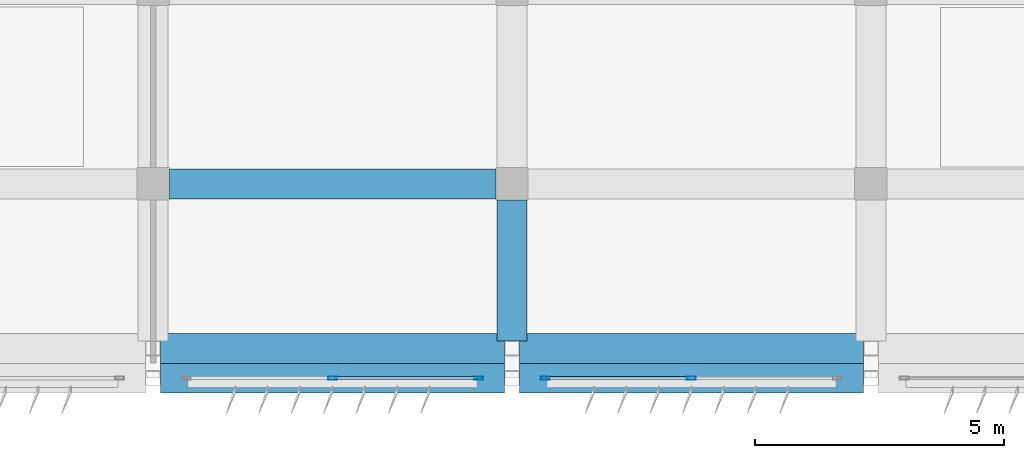
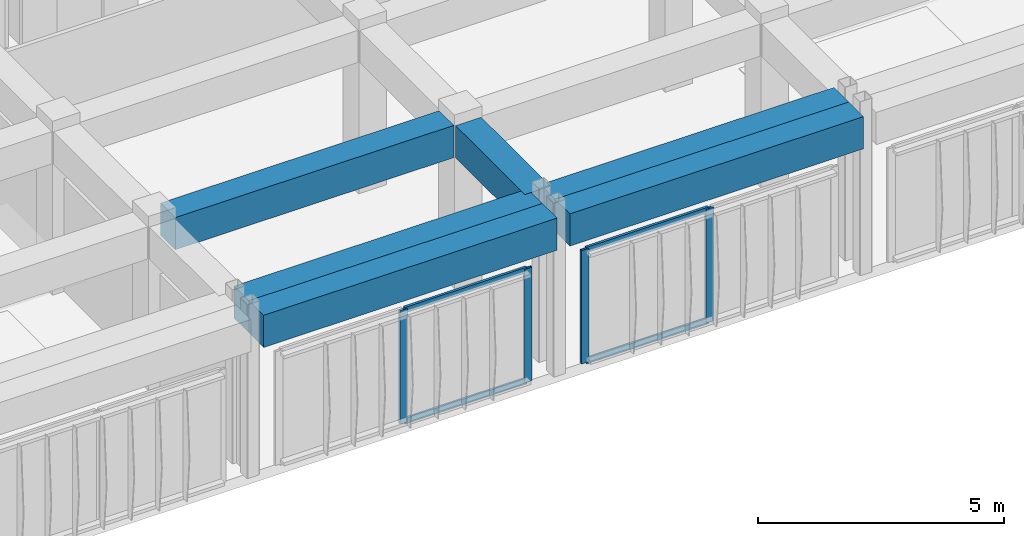
# One storey, part 18 of 53: 8 members, 6 beams, 2 elements without a shape of their own.
"""IFC4 building model written with IfcOpenShell, lengths in metres."""

from ifc_helpers import new_model, si_unit, direction, frame, origin, origin_2d, place, context, subcontext, project, spatial, rectangle, hollow_rectangle, extrude, material, material_profile, profile_set, type_object, element, aggregate, save


model = new_model("IFC4")

# Units and contexts
model_context = context("Model", 3, precision=1e-05, world=origin(), true_north=direction((0.0, 1.0)))
body_context = subcontext(model_context, "Body", "Model", "MODEL_VIEW")
ifc_project = project(units=[si_unit("LENGTHUNIT", "METRE"), si_unit("AREAUNIT", "SQUARE_METRE"), si_unit("VOLUMEUNIT", "CUBIC_METRE"), si_unit("PLANEANGLEUNIT", "RADIAN"), si_unit("MASSUNIT", "GRAM", prefix="KILO")], contexts=[model_context])

# Site, building, storey
site_placement = place(None, origin())
site = spatial("IfcSite", under=ifc_project, at=site_placement, CompositionType="ELEMENT")
building_placement = place(site_placement, origin())
building = spatial("IfcBuilding", under=site, at=building_placement, Name="Kazehaya Institute of Natural Sciences", CompositionType="ELEMENT")
storey_placement = place(building_placement, frame((0.0, 0.0, 33.300048828125)))
storey = spatial("IfcBuildingStorey", under=building, at=storey_placement, Name="L07", CompositionType="ELEMENT", Elevation=33.300048828125)

# Beams
ifc_material_1 = material(Name="Concrete Fc36", Category="concrete")
ifc_material_profile_1 = material_profile(ifc_material_1, rectangle(XDim=0.60009765625, YDim=0.800048828125, at=origin_2d()), Name="RC-600x800")
ifc_profile_set_1 = profile_set([ifc_material_profile_1], Name="Concrete Fc36")
beam_type = type_object("IfcBeamType", Name="BM-G-600x800", PredefinedType="BEAM", material=ifc_profile_set_1)
beam_1_placement = place(storey_placement, frame((90.75, 6.199951171875, 3.64990234375), z_axis=(1.0, 0.0, 0.0), x_axis=(0.0, 1.0, 0.0)))
element("IfcBeam", 1, at=beam_1_placement, inside=storey, type_object=beam_type, Name="L07 primary X girder BMX-L07-906-62", PredefinedType="BEAM", context=body_context, shape_type="SweptSolid", body=[
    extrude(rectangle(XDim=0.60009765625, YDim=0.800048828125, at=origin_2d()), origin(), (0.0, 0.0, 1.0), 6.89990234375),
])
beam_2_placement = place(storey_placement, frame((97.949951171875, 6.199951171875, 3.64990234375), z_axis=(1.0, 0.0, 0.0), x_axis=(0.0, 1.0, 0.0)))
element("IfcBeam", 2, at=beam_2_placement, inside=storey, type_object=beam_type, Name="L07 primary X girder BMX-L07-978-62", PredefinedType="BEAM", context=body_context, shape_type="SweptSolid", body=[
    extrude(rectangle(XDim=0.60009765625, YDim=0.800048828125, at=origin_2d()), origin(), (0.0, 0.0, 1.0), 6.900146484375),
])
beam_3_placement = place(storey_placement, frame((90.75, 6.800048828125, 3.64990234375), z_axis=(1.0, 0.0, 0.0), x_axis=(0.0, 1.0, 0.0)))
element("IfcBeam", 3, at=beam_3_placement, inside=storey, type_object=beam_type, Name="L07 primary X girder BMX-L07-906-68", PredefinedType="BEAM", context=body_context, shape_type="SweptSolid", body=[
    extrude(rectangle(XDim=0.60009765625, YDim=0.800048828125, at=origin_2d()), origin(), (0.0, 0.0, 1.0), 6.89990234375),
])
beam_4_placement = place(storey_placement, frame((97.949951171875, 6.800048828125, 3.64990234375), z_axis=(1.0, 0.0, 0.0), x_axis=(0.0, 1.0, 0.0)))
element("IfcBeam", 4, at=beam_4_placement, inside=storey, type_object=beam_type, Name="L07 primary X girder BMX-L07-978-68", PredefinedType="BEAM", context=body_context, shape_type="SweptSolid", body=[
    extrude(rectangle(XDim=0.60009765625, YDim=0.800048828125, at=origin_2d()), origin(), (0.0, 0.0, 1.0), 6.900146484375),
])
beam_5_placement = place(storey_placement, frame((90.925048828125, 10.10009765625, 3.64990234375), z_axis=(1.0, 0.0, 0.0), x_axis=(0.0, 1.0, 0.0)))
element("IfcBeam", 5, at=beam_5_placement, inside=storey, type_object=beam_type, Name="L07 primary X girder BMX-L07-906-101", PredefinedType="BEAM", context=body_context, shape_type="SweptSolid", body=[
    extrude(rectangle(XDim=0.60009765625, YDim=0.800048828125, at=origin_2d()), origin(), (0.0, 0.0, 1.0), 6.550048828125),
])
beam_6_placement = place(storey_placement, frame((97.800048828125, 6.949951171875, 3.64990234375), z_axis=(0.0, 1.0, 0.0), x_axis=(-1.0, 0.0, 0.0)))
element("IfcBeam", 6, at=beam_6_placement, inside=storey, type_object=beam_type, Name="L07 primary Y girder BMY-L07-978-68", PredefinedType="BEAM", context=body_context, shape_type="SweptSolid", body=[
    extrude(rectangle(XDim=0.60009765625, YDim=0.800048828125, at=origin_2d()), origin(), (0.0, 0.0, 1.0), 2.824951171875),
])

# Curtain wall, members
ifc_material_2 = material(Name="Aluminium alloy A6063S-T5", Category="aluminium")
curtain_wall_type = type_object("IfcCurtainWallType", Name="CW-SYS-05", PredefinedType="NOTDEFINED", material=ifc_material_2)
curtain_wall_1_placement = place(storey_placement, origin())
curtain_wall_1 = element("IfcCurtainWall", 7, at=curtain_wall_1_placement, inside=storey, type_object=curtain_wall_type, Name="L07 unitised curtain wall CW-L07-150", PredefinedType="NOTDEFINED")
ifc_material_profile_2 = material_profile(ifc_material_2, hollow_rectangle(XDim=0.06005859375, YDim=0.179931640625, WallThickness=0.00390625, at=origin_2d()), Name="ALU-60x180x4")
ifc_profile_set_2 = profile_set([ifc_material_profile_2], Name="Aluminium alloy A6063S-T5")
member_type_1 = type_object("IfcMemberType", Name="CWM-180", PredefinedType="MULLION", material=ifc_profile_set_2)
member_1_placement = place(storey_placement, frame((101.39990234375, 6.199951171875, 0.0), z_axis=(0.0, 0.0, 1.0), x_axis=(0.0, -1.0, 0.0)))
member_1 = element("IfcMember", 8, at=member_1_placement, type_object=member_type_1, Name="CW05 mullion 2", PredefinedType="MULLION", context=body_context, shape_type="SweptSolid", body=[
    extrude(hollow_rectangle(XDim=0.06005859375, YDim=0.179931640625, WallThickness=0.00390625, at=origin_2d()), origin(), (0.0, 0.0, 1.0), 2.820068359375),
])
member_2_placement = place(storey_placement, frame((98.469970703125, 6.199951171875, 0.0), z_axis=(0.0, 0.0, 1.0), x_axis=(0.0, -1.0, 0.0)))
member_2 = element("IfcMember", 9, at=member_2_placement, type_object=member_type_1, Name="CW05 mullion 3", PredefinedType="MULLION", context=body_context, shape_type="SweptSolid", body=[
    extrude(hollow_rectangle(XDim=0.06005859375, YDim=0.179931640625, WallThickness=0.00390625, at=origin_2d()), origin(), (0.0, 0.0, 1.0), 2.820068359375),
])

curtain_wall_2_placement = place(storey_placement, origin())
curtain_wall_2 = element("IfcCurtainWall", 10, at=curtain_wall_2_placement, inside=storey, type_object=curtain_wall_type, Name="L07 unitised curtain wall CW-L07-151", PredefinedType="NOTDEFINED")
member_3_placement = place(storey_placement, frame((97.1298828125, 6.199951171875, 0.0), z_axis=(0.0, 0.0, 1.0), x_axis=(0.0, -1.0, 0.0)))
member_3 = element("IfcMember", 11, at=member_3_placement, type_object=member_type_1, Name="CW05 mullion 1", PredefinedType="MULLION", context=body_context, shape_type="SweptSolid", body=[
    extrude(hollow_rectangle(XDim=0.06005859375, YDim=0.179931640625, WallThickness=0.00390625, at=origin_2d()), origin(), (0.0, 0.0, 1.0), 2.820068359375),
])
member_4_placement = place(storey_placement, frame((94.199951171875, 6.199951171875, 0.0), z_axis=(0.0, 0.0, 1.0), x_axis=(0.0, -1.0, 0.0)))
member_4 = element("IfcMember", 12, at=member_4_placement, type_object=member_type_1, Name="CW05 mullion 2", PredefinedType="MULLION", context=body_context, shape_type="SweptSolid", body=[
    extrude(hollow_rectangle(XDim=0.06005859375, YDim=0.179931640625, WallThickness=0.00390625, at=origin_2d()), origin(), (0.0, 0.0, 1.0), 2.820068359375),
])

# Member
ifc_material_profile_3 = material_profile(ifc_material_2, hollow_rectangle(XDim=0.06005859375, YDim=0.139892578125, WallThickness=0.00341796875, at=origin_2d()), Name="ALU-60x140x3.5")
ifc_profile_set_3 = profile_set([ifc_material_profile_3], Name="Aluminium alloy A6063S-T5")
member_type_2 = type_object("IfcMemberType", Name="CWT-140", PredefinedType="USERDEFINED", material=ifc_profile_set_3)
member_5_placement = place(storey_placement, frame((101.3701171875, 6.199951171875, 0.030029296875), z_axis=(-1.0, 0.0, 0.0), x_axis=(0.0, -1.0, 0.0)))
member_5 = element("IfcMember", 13, at=member_5_placement, type_object=member_type_2, Name="CW05 transom 2.1", ObjectType="TRANSOM", PredefinedType="USERDEFINED", context=body_context, shape_type="SweptSolid", body=[
    extrude(hollow_rectangle(XDim=0.06005859375, YDim=0.139892578125, WallThickness=0.00341796875, at=origin_2d()), origin(), (0.0, 0.0, 1.0), 2.8701171875),
])

member_6_placement = place(storey_placement, frame((101.3701171875, 6.199951171875, 2.7900390625), z_axis=(-1.0, 0.0, 0.0), x_axis=(0.0, -1.0, 0.0)))
member_6 = element("IfcMember", 14, at=member_6_placement, type_object=member_type_2, Name="CW05 transom 2.2", ObjectType="TRANSOM", PredefinedType="USERDEFINED", context=body_context, shape_type="SweptSolid", body=[
    extrude(hollow_rectangle(XDim=0.06005859375, YDim=0.139892578125, WallThickness=0.00341796875, at=origin_2d()), origin(), (0.0, 0.0, 1.0), 2.8701171875),
])

aggregate(curtain_wall_1, [member_1, member_2, member_5, member_6])

member_7_placement = place(storey_placement, frame((97.10009765625, 6.199951171875, 0.030029296875), z_axis=(-1.0, 0.0, 0.0), x_axis=(0.0, -1.0, 0.0)))
member_7 = element("IfcMember", 15, at=member_7_placement, type_object=member_type_2, Name="CW05 transom 1.1", ObjectType="TRANSOM", PredefinedType="USERDEFINED", context=body_context, shape_type="SweptSolid", body=[
    extrude(hollow_rectangle(XDim=0.06005859375, YDim=0.139892578125, WallThickness=0.00341796875, at=origin_2d()), origin(), (0.0, 0.0, 1.0), 2.8701171875),
])

member_8_placement = place(storey_placement, frame((97.10009765625, 6.199951171875, 2.7900390625), z_axis=(-1.0, 0.0, 0.0), x_axis=(0.0, -1.0, 0.0)))
member_8 = element("IfcMember", 16, at=member_8_placement, type_object=member_type_2, Name="CW05 transom 1.2", ObjectType="TRANSOM", PredefinedType="USERDEFINED", context=body_context, shape_type="SweptSolid", body=[
    extrude(hollow_rectangle(XDim=0.06005859375, YDim=0.139892578125, WallThickness=0.00341796875, at=origin_2d()), origin(), (0.0, 0.0, 1.0), 2.8701171875),
])

aggregate(curtain_wall_2, [member_3, member_4, member_7, member_8])

save(model, "model.ifc")
